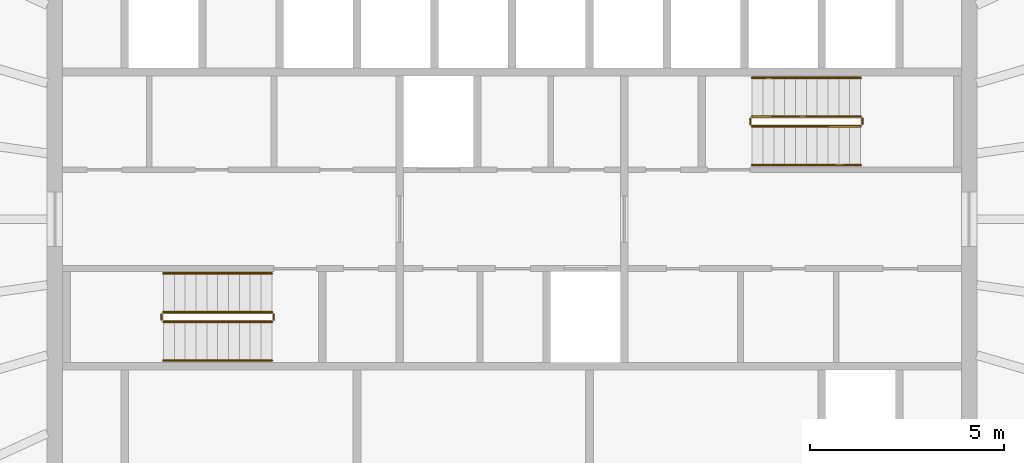
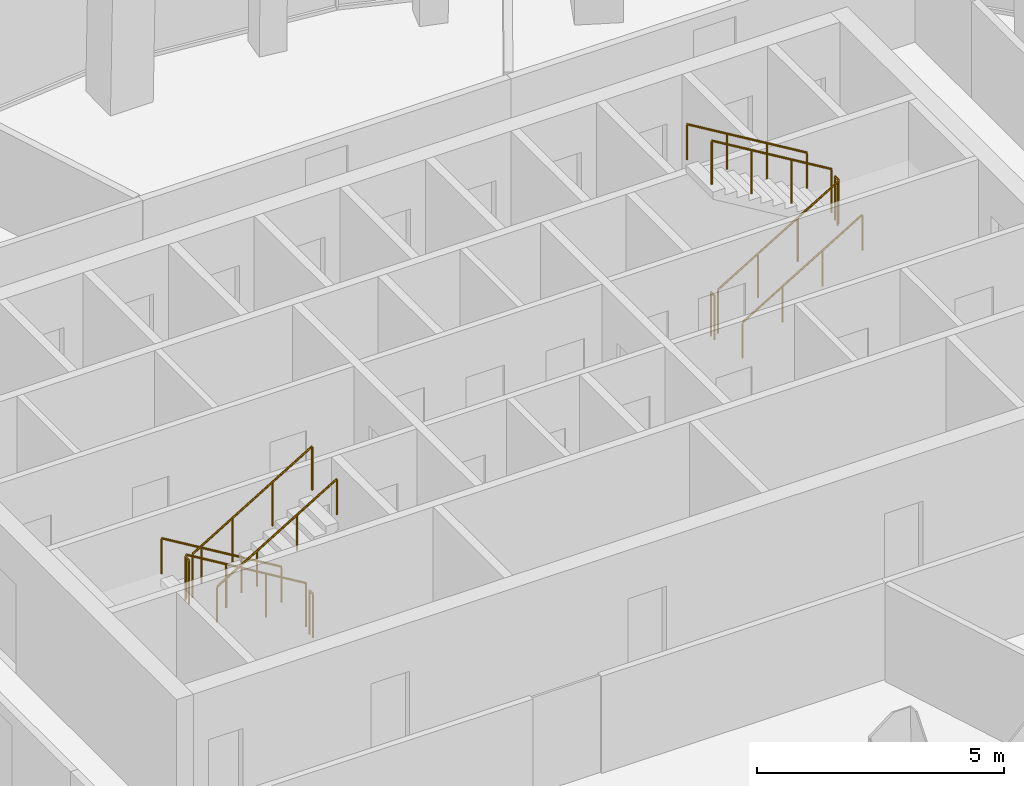
# One storey, part 11 of 11: 12 railings.
"""IFC4 building model written with IfcOpenShell, lengths in metres."""

from ifc_helpers import new_model, si_unit, direction, frame, origin, origin_2d, place, context, subcontext, project, spatial, circle, extrude, material, type_object, element, save


model = new_model("IFC4")

# Units and contexts
model_context = context("Model", 3, precision=1e-05, world=origin(), true_north=direction((0.0, 1.0)))
body_context = subcontext(model_context, "Body", "Model", "MODEL_VIEW")
ifc_project = project(units=[si_unit("LENGTHUNIT", "METRE"), si_unit("AREAUNIT", "SQUARE_METRE"), si_unit("VOLUMEUNIT", "CUBIC_METRE"), si_unit("PLANEANGLEUNIT", "RADIAN"), si_unit("MASSUNIT", "GRAM", prefix="KILO")], contexts=[model_context])

# Site, building, storey
site_placement = place(None, origin())
site = spatial("IfcSite", under=ifc_project, at=site_placement, CompositionType="ELEMENT")
building_placement = place(site_placement, origin())
building = spatial("IfcBuilding", under=site, at=building_placement, Name="Siaravel Broadcast Tower", CompositionType="ELEMENT")
storey_placement = place(building_placement, frame((0.0, 0.0, 254.10009765625)))
storey = spatial("IfcBuildingStorey", under=building, at=storey_placement, Name="L62", CompositionType="ELEMENT", Elevation=254.10009765625)

# Railings
ifc_material = material(Name="Stainless steel 316L", Category="steel")
railing_type_1 = type_object("IfcRailingType", Name="Stair guard 1100", PredefinedType="GUARDRAIL", material=ifc_material)
railing_1_placement = place(storey_placement, frame((-6.199951171875, -2.39990234375, 0.16796875)))
element("IfcRailing", 1, at=railing_1_placement, inside=storey, type_object=railing_type_1, Name="L62 ST-1 stair guard 1", PredefinedType="GUARDRAIL", context=body_context, shape_type="SweptSolid", body=[
    extrude(circle(Radius=0.02392578125, at=origin_2d()), frame((0.0, 0.0, 1.076171875), z_axis=(-0.857242211, 0.0, 0.514913383), x_axis=(0.0, -1.0, 0.0)), (0.0, 0.0, 1.0), 3.266357421875),
    extrude(circle(Radius=0.02099609375, at=origin_2d()), origin(), (0.0, 0.0, 1.0), 1.052001953125),
    extrude(circle(Radius=0.02099609375, at=origin_2d()), frame((-0.933349609375, 0.0, 0.560546875)), (0.0, 0.0, 1.0), 1.052001953125),
    extrude(circle(Radius=0.02099609375, at=origin_2d()), frame((-1.86669921875, 0.0, 1.121337890625)), (0.0, 0.0, 1.0), 1.052001953125),
    extrude(circle(Radius=0.02099609375, at=origin_2d()), frame((-2.800048828125, 0.0, 1.681884765625)), (0.0, 0.0, 1.0), 1.052001953125),
])
railing_2_placement = place(storey_placement, frame((-9.050048828125, -2.449951171875, 1.849853515625)))
element("IfcRailing", 2, at=railing_2_placement, inside=storey, type_object=railing_type_1, Name="L62 ST-1 stair guard 2", PredefinedType="GUARDRAIL", context=body_context, shape_type="SweptSolid", body=[
    extrude(circle(Radius=0.02392578125, at=origin_2d()), frame((0.0, 0.0, 1.076171875), z_axis=(0.0, -1.0, 0.0), x_axis=(1.0, 0.0, 0.0)), (0.0, 0.0, 1.0), 0.150146484375),
    extrude(circle(Radius=0.02099609375, at=origin_2d()), origin(), (0.0, 0.0, 1.0), 1.052001953125),
    extrude(circle(Radius=0.02099609375, at=origin_2d()), frame((0.0, -0.150146484375, 0.0)), (0.0, 0.0, 1.0), 1.052001953125),
])
railing_3_placement = place(storey_placement, frame((-9.0, -2.64990234375, 2.01806640625)))
element("IfcRailing", 3, at=railing_3_placement, inside=storey, type_object=railing_type_1, Name="L62 ST-1 stair guard 3", PredefinedType="GUARDRAIL", context=body_context, shape_type="SweptSolid", body=[
    extrude(circle(Radius=0.02392578125, at=origin_2d()), frame((0.0, 0.0, 1.076171875), z_axis=(0.857242211, 0.0, 0.514913383), x_axis=(0.0, 1.0, 0.0)), (0.0, 0.0, 1.0), 3.266357421875),
    extrude(circle(Radius=0.02099609375, at=origin_2d()), origin(), (0.0, 0.0, 1.0), 1.052001953125),
    extrude(circle(Radius=0.02099609375, at=origin_2d()), frame((0.933349609375, 0.0, 0.560546875)), (0.0, 0.0, 1.0), 1.052001953125),
    extrude(circle(Radius=0.02099609375, at=origin_2d()), frame((1.86669921875, 0.0, 1.121337890625)), (0.0, 0.0, 1.0), 1.052001953125),
    extrude(circle(Radius=0.02099609375, at=origin_2d()), frame((2.800048828125, 0.0, 1.681884765625)), (0.0, 0.0, 1.0), 1.052001953125),
])
railing_4_placement = place(storey_placement, frame((-6.14990234375, -2.449951171875, 0.0)))
element("IfcRailing", 4, at=railing_4_placement, inside=storey, type_object=railing_type_1, Name="L62 ST-1 stair guard 4", PredefinedType="GUARDRAIL", context=body_context, shape_type="SweptSolid", body=[
    extrude(circle(Radius=0.02392578125, at=origin_2d()), frame((0.0, 0.0, 1.076171875), z_axis=(0.0, -1.0, 0.0), x_axis=(1.0, 0.0, 0.0)), (0.0, 0.0, 1.0), 0.150146484375),
    extrude(circle(Radius=0.02099609375, at=origin_2d()), origin(), (0.0, 0.0, 1.0), 1.052001953125),
    extrude(circle(Radius=0.02099609375, at=origin_2d()), frame((0.0, -0.150146484375, 0.0)), (0.0, 0.0, 1.0), 1.052001953125),
])
railing_5_placement = place(storey_placement, frame((6.199951171875, 2.39990234375, 0.16796875)))
element("IfcRailing", 5, at=railing_5_placement, inside=storey, type_object=railing_type_1, Name="L62 ST-2 stair guard 1", PredefinedType="GUARDRAIL", context=body_context, shape_type="SweptSolid", body=[
    extrude(circle(Radius=0.02392578125, at=origin_2d()), frame((0.0, 0.0, 1.076171875), z_axis=(0.857242211, 0.0, 0.514913383), x_axis=(0.0, 1.0, 0.0)), (0.0, 0.0, 1.0), 3.266357421875),
    extrude(circle(Radius=0.02099609375, at=origin_2d()), origin(), (0.0, 0.0, 1.0), 1.052001953125),
    extrude(circle(Radius=0.02099609375, at=origin_2d()), frame((0.933349609375, 0.0, 0.560546875)), (0.0, 0.0, 1.0), 1.052001953125),
    extrude(circle(Radius=0.02099609375, at=origin_2d()), frame((1.86669921875, 0.0, 1.121337890625)), (0.0, 0.0, 1.0), 1.052001953125),
    extrude(circle(Radius=0.02099609375, at=origin_2d()), frame((2.800048828125, 0.0, 1.681884765625)), (0.0, 0.0, 1.0), 1.052001953125),
])
railing_6_placement = place(storey_placement, frame((9.050048828125, 2.449951171875, 1.849853515625)))
element("IfcRailing", 6, at=railing_6_placement, inside=storey, type_object=railing_type_1, Name="L62 ST-2 stair guard 2", PredefinedType="GUARDRAIL", context=body_context, shape_type="SweptSolid", body=[
    extrude(circle(Radius=0.02392578125, at=origin_2d()), frame((0.0, 0.0, 1.076171875), z_axis=(0.0, 1.0, 0.0), x_axis=(-1.0, 0.0, 0.0)), (0.0, 0.0, 1.0), 0.150146484375),
    extrude(circle(Radius=0.02099609375, at=origin_2d()), origin(), (0.0, 0.0, 1.0), 1.052001953125),
    extrude(circle(Radius=0.02099609375, at=origin_2d()), frame((0.0, 0.150146484375, 0.0)), (0.0, 0.0, 1.0), 1.052001953125),
])
railing_7_placement = place(storey_placement, frame((9.0, 2.64990234375, 2.01806640625)))
element("IfcRailing", 7, at=railing_7_placement, inside=storey, type_object=railing_type_1, Name="L62 ST-2 stair guard 3", PredefinedType="GUARDRAIL", context=body_context, shape_type="SweptSolid", body=[
    extrude(circle(Radius=0.02392578125, at=origin_2d()), frame((0.0, 0.0, 1.076171875), z_axis=(-0.857242211, 0.0, 0.514913383), x_axis=(0.0, -1.0, 0.0)), (0.0, 0.0, 1.0), 3.266357421875),
    extrude(circle(Radius=0.02099609375, at=origin_2d()), origin(), (0.0, 0.0, 1.0), 1.052001953125),
    extrude(circle(Radius=0.02099609375, at=origin_2d()), frame((-0.933349609375, 0.0, 0.560546875)), (0.0, 0.0, 1.0), 1.052001953125),
    extrude(circle(Radius=0.02099609375, at=origin_2d()), frame((-1.86669921875, 0.0, 1.121337890625)), (0.0, 0.0, 1.0), 1.052001953125),
    extrude(circle(Radius=0.02099609375, at=origin_2d()), frame((-2.800048828125, 0.0, 1.681884765625)), (0.0, 0.0, 1.0), 1.052001953125),
])
railing_8_placement = place(storey_placement, frame((6.14990234375, 2.449951171875, 0.0)))
element("IfcRailing", 8, at=railing_8_placement, inside=storey, type_object=railing_type_1, Name="L62 ST-2 stair guard 4", PredefinedType="GUARDRAIL", context=body_context, shape_type="SweptSolid", body=[
    extrude(circle(Radius=0.02392578125, at=origin_2d()), frame((0.0, 0.0, 1.076171875), z_axis=(0.0, 1.0, 0.0), x_axis=(-1.0, 0.0, 0.0)), (0.0, 0.0, 1.0), 0.150146484375),
    extrude(circle(Radius=0.02099609375, at=origin_2d()), origin(), (0.0, 0.0, 1.0), 1.052001953125),
    extrude(circle(Radius=0.02099609375, at=origin_2d()), frame((0.0, 0.150146484375, 0.0)), (0.0, 0.0, 1.0), 1.052001953125),
])
railing_type_2 = type_object("IfcRailingType", Name="Stair handrail 900", PredefinedType="HANDRAIL", material=ifc_material)
railing_9_placement = place(storey_placement, frame((-6.199951171875, -1.39990234375, 0.16796875)))
element("IfcRailing", 9, at=railing_9_placement, inside=storey, type_object=railing_type_2, Name="L62 ST-1 stair handrail 1", PredefinedType="HANDRAIL", context=body_context, shape_type="SweptSolid", body=[
    extrude(circle(Radius=0.02392578125, at=origin_2d()), frame((0.0, 0.0, 0.8759765625), z_axis=(-0.857242211, 0.0, 0.514913383), x_axis=(0.0, -1.0, 0.0)), (0.0, 0.0, 1.0), 3.266357421875),
    extrude(circle(Radius=0.02099609375, at=origin_2d()), origin(), (0.0, 0.0, 1.0), 0.851806640625),
    extrude(circle(Radius=0.02099609375, at=origin_2d()), frame((-0.933349609375, 0.0, 0.560546875)), (0.0, 0.0, 1.0), 0.851806640625),
    extrude(circle(Radius=0.02099609375, at=origin_2d()), frame((-1.86669921875, 0.0, 1.121337890625)), (0.0, 0.0, 1.0), 0.851806640625),
    extrude(circle(Radius=0.02099609375, at=origin_2d()), frame((-2.800048828125, 0.0, 1.681884765625)), (0.0, 0.0, 1.0), 0.851806640625),
])
for number, where, name in (
    (10, (-9.0, -3.64990234375, 2.01806640625), "L62 ST-1 stair handrail 2"),
    (11, (6.199951171875, 1.39990234375, 0.16796875), "L62 ST-2 stair handrail 1"),
):
    element("IfcRailing", number, at=place(storey_placement, frame(where)), inside=storey, type_object=railing_type_2, Name=name, PredefinedType="HANDRAIL", context=body_context, shape_type="SweptSolid", body=[
        extrude(circle(Radius=0.02392578125, at=origin_2d()), frame((0.0, 0.0, 0.8759765625), z_axis=(0.857242211, 0.0, 0.514913383), x_axis=(0.0, 1.0, 0.0)), (0.0, 0.0, 1.0), 3.266357421875),
        extrude(circle(Radius=0.02099609375, at=origin_2d()), origin(), (0.0, 0.0, 1.0), 0.851806640625),
        extrude(circle(Radius=0.02099609375, at=origin_2d()), frame((0.933349609375, 0.0, 0.560546875)), (0.0, 0.0, 1.0), 0.851806640625),
        extrude(circle(Radius=0.02099609375, at=origin_2d()), frame((1.86669921875, 0.0, 1.121337890625)), (0.0, 0.0, 1.0), 0.851806640625),
        extrude(circle(Radius=0.02099609375, at=origin_2d()), frame((2.800048828125, 0.0, 1.681884765625)), (0.0, 0.0, 1.0), 0.851806640625),
    ])
railing_10_placement = place(storey_placement, frame((9.0, 3.64990234375, 2.01806640625)))
element("IfcRailing", 12, at=railing_10_placement, inside=storey, type_object=railing_type_2, Name="L62 ST-2 stair handrail 2", PredefinedType="HANDRAIL", context=body_context, shape_type="SweptSolid", body=[
    extrude(circle(Radius=0.02392578125, at=origin_2d()), frame((0.0, 0.0, 0.8759765625), z_axis=(-0.857242211, 0.0, 0.514913383), x_axis=(0.0, -1.0, 0.0)), (0.0, 0.0, 1.0), 3.266357421875),
    extrude(circle(Radius=0.02099609375, at=origin_2d()), origin(), (0.0, 0.0, 1.0), 0.851806640625),
    extrude(circle(Radius=0.02099609375, at=origin_2d()), frame((-0.933349609375, 0.0, 0.560546875)), (0.0, 0.0, 1.0), 0.851806640625),
    extrude(circle(Radius=0.02099609375, at=origin_2d()), frame((-1.86669921875, 0.0, 1.121337890625)), (0.0, 0.0, 1.0), 0.851806640625),
    extrude(circle(Radius=0.02099609375, at=origin_2d()), frame((-2.800048828125, 0.0, 1.681884765625)), (0.0, 0.0, 1.0), 0.851806640625),
])

save(model, "model.ifc")
